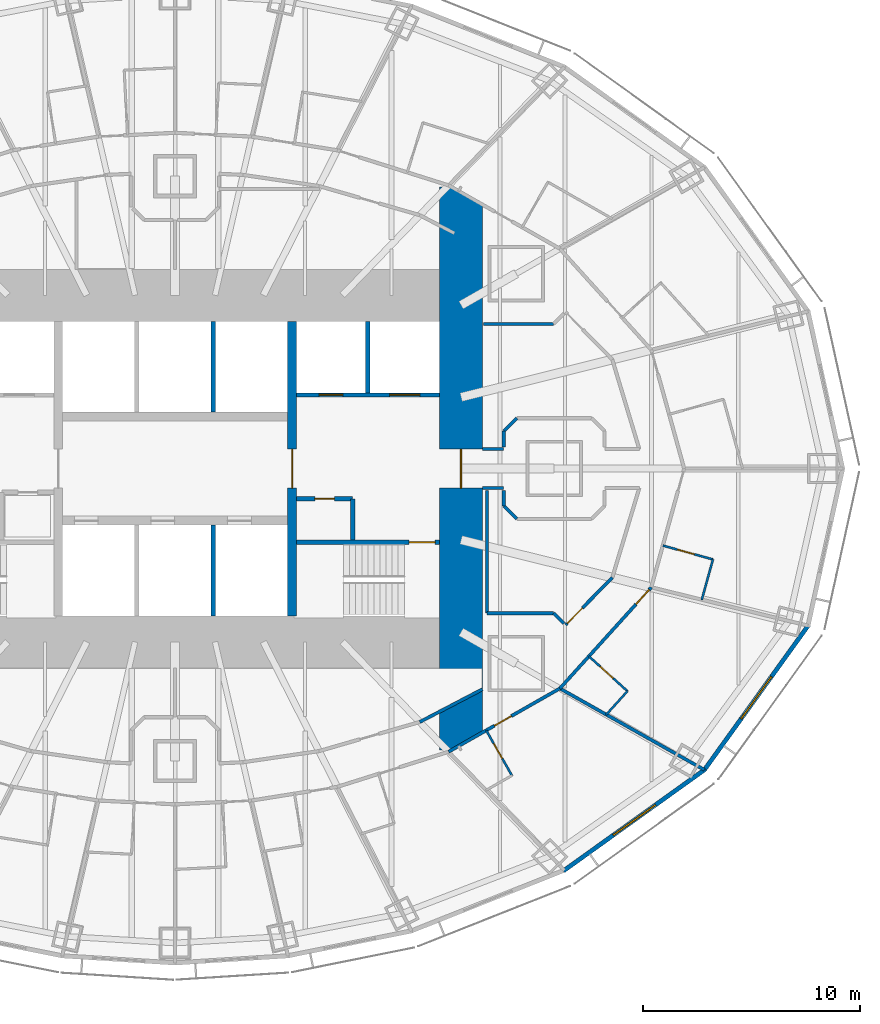
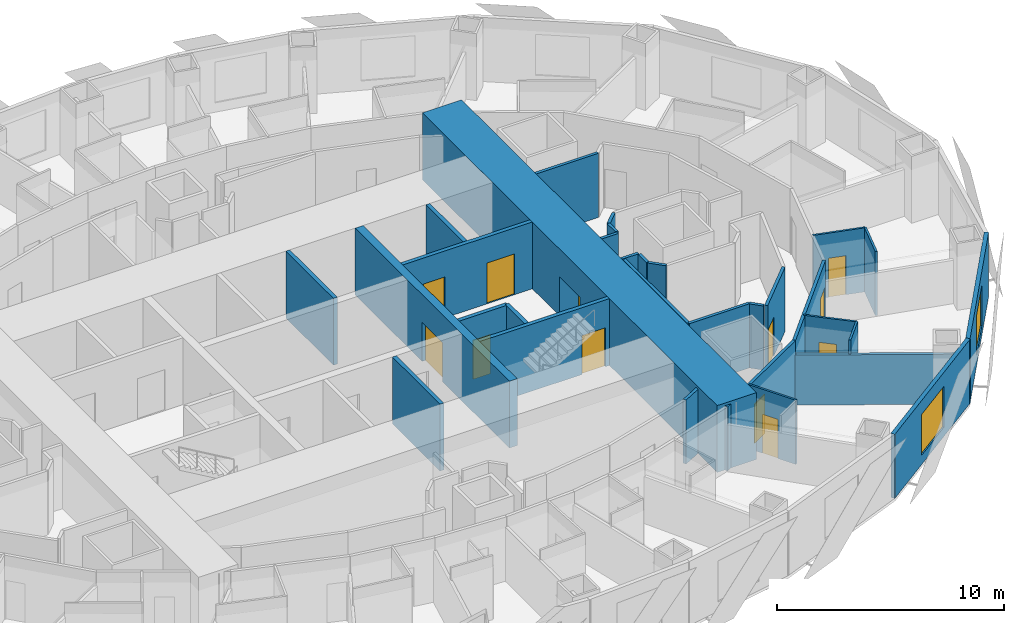
# One storey, part 8 of 17: 31 walls, 12 doors, 2 windows, 14 openings.
"""IFC4 building model written with IfcOpenShell, lengths in metres."""

import ifcopenshell
import ifcopenshell.guid

model = None  # the IFC model being written
_history = None  # IfcOwnerHistory: only IFC2X3 demands one
_inside = {}  # id of a spatial element -> (the spatial element, [elements in it])
_under = {}  # id of a project, library or spatial element -> (it, [spatial elements below it])
_declared = {}  # id of a project -> (the project, [libraries it declares])
_typed = {}  # id of a type object -> (the type object, [elements of that type])
_made_of = {}  # id of a material, layer set ... -> (it, [elements and type objects made of it])


def new_model(schema):
    """Start an empty IFC model of exactly this schema.

    Asked for "IFC4X3", IfcOpenShell would pick the latest addendum, in which some entities
    have other attributes; the version numbers below select the first issue.
    IFC2X3 requires an IfcOwnerHistory on every rooted entity: one is made here for all.
    """
    global model, _history
    if schema == "IFC4X3":
        model = ifcopenshell.file(schema_version=(4, 3, 0, 0))
    else:
        model = ifcopenshell.file(schema=schema)
    _inside.clear()
    _under.clear()
    _declared.clear()
    _typed.clear()
    _made_of.clear()
    _history = None
    if model.schema == "IFC2X3":
        org = make("IfcOrganization", Name="unknown")
        user = make(
            "IfcPersonAndOrganization",
            ThePerson=make("IfcPerson", FamilyName="unknown"),
            TheOrganization=org,
        )
        app = make(
            "IfcApplication",
            ApplicationDeveloper=org,
            Version="unknown",
            ApplicationFullName="unknown",
            ApplicationIdentifier="unknown",
        )
        _history = make(
            "IfcOwnerHistory",
            OwningUser=user,
            OwningApplication=app,
            ChangeAction="ADDED",
            CreationDate=0,
        )
    return model


def make(cls, **values):
    """One entity of the class cls with the attributes given. An attribute that is None is left unset."""
    return model.create_entity(
        cls, **{name: value for name, value in values.items() if value is not None}
    )


def rooted(cls, **values):
    """An entity with a GlobalId (a new one), such as an element, a storey or a relation."""
    return make(cls, GlobalId=ifcopenshell.guid.new(), OwnerHistory=_history, **values)


def si_unit(unit_type, name, prefix=None):
    """IfcSIUnit, for example si_unit("LENGTHUNIT", "METRE", prefix="MILLI")."""
    return make("IfcSIUnit", UnitType=unit_type, Prefix=prefix, Name=name)


def assignment(units):
    """IfcUnitAssignment: the units of a project."""
    return None if units is None else make("IfcUnitAssignment", Units=units)


def point(xyz):
    """IfcCartesianPoint."""
    return None if xyz is None else make("IfcCartesianPoint", Coordinates=xyz)


def direction(xyz):
    """IfcDirection."""
    return None if xyz is None else make("IfcDirection", DirectionRatios=xyz)


def frame(location, z_axis=None, x_axis=None):
    """IfcAxis2Placement3D, a coordinate frame: its origin and axes. An axis left out is left unset."""
    return make(
        "IfcAxis2Placement3D",
        Location=point(location),
        Axis=direction(z_axis),
        RefDirection=direction(x_axis),
    )


def frame_2d(location, x_axis=None):
    """IfcAxis2Placement2D, a coordinate frame in the plane: its origin and x axis."""
    return make(
        "IfcAxis2Placement2D", Location=point(location), RefDirection=direction(x_axis)
    )


def origin():
    """The frame at (0, 0, 0) with its axes left unset."""
    return frame((0.0, 0.0, 0.0))


def place(relative_to, where):
    """IfcLocalPlacement: puts the frame where relative to a parent placement (None: the world)."""
    return make(
        "IfcLocalPlacement", PlacementRelTo=relative_to, RelativePlacement=where
    )


def context(
    kind, dimensions, precision=None, world=None, true_north=None, identifier=None
):
    """IfcGeometricRepresentationContext, for example the 3D "Model" context."""
    return make(
        "IfcGeometricRepresentationContext",
        ContextIdentifier=identifier,
        ContextType=kind,
        CoordinateSpaceDimension=dimensions,
        Precision=precision,
        WorldCoordinateSystem=world,
        TrueNorth=true_north,
    )


def subcontext(parent, identifier, kind, view, scale=None):
    """IfcGeometricRepresentationSubContext, for example "Body" below "Model"."""
    return make(
        "IfcGeometricRepresentationSubContext",
        ContextIdentifier=identifier,
        ContextType=kind,
        ParentContext=parent,
        TargetScale=scale,
        TargetView=view,
    )


def project(units=None, contexts=None):
    """IfcProject with its units and contexts."""
    return rooted(
        "IfcProject",
        Name="project",
        RepresentationContexts=contexts,
        UnitsInContext=assignment(units),
    )


def spatial(cls, under=None, at=None, **own):
    """A site, building, storey or space (cls), placed at a placement, below another one or the project."""
    s = rooted(cls, ObjectPlacement=at, **own)
    if under is not None:
        _under.setdefault(under.id(), (under, []))[1].append(s)
    return s


def profile(cls, at=None, kind="AREA", **sizes):
    """A parametric profile (cls). Its sizes go by their IFC names, for example OverallWidth=200.0."""
    return make(cls, ProfileType=kind, Position=at, **sizes)


def rectangle(**sizes):
    """IfcRectangleProfileDef."""
    return profile("IfcRectangleProfileDef", **sizes)


def extrude(swept, where, along, depth):
    """IfcExtrudedAreaSolid: the profile swept, set in the frame where, extruded along a direction by depth."""
    return make(
        "IfcExtrudedAreaSolid",
        SweptArea=swept,
        Position=where,
        ExtrudedDirection=direction(along),
        Depth=depth,
    )


def shape(context_of_items, identifier, shape_type, items):
    """IfcShapeRepresentation: the items that make up one representation, for example the "Body"."""
    return make(
        "IfcShapeRepresentation",
        ContextOfItems=context_of_items,
        RepresentationIdentifier=identifier,
        RepresentationType=shape_type,
        Items=items,
    )


def material(Name=None, Category=None):
    """IfcMaterial."""
    return make("IfcMaterial", Name=Name, Category=Category)


def layer(
    of_material, thickness, ventilated=None, Name=None, Category=None, Priority=None
):
    """IfcMaterialLayer: one layer of a wall or slab, of a material (None: an air gap)."""
    return make(
        "IfcMaterialLayer",
        Material=of_material,
        LayerThickness=thickness,
        IsVentilated=ventilated,
        Name=Name,
        Category=Category,
        Priority=Priority,
    )


def layer_set(layers, Name=None):
    """IfcMaterialLayerSet."""
    return make("IfcMaterialLayerSet", MaterialLayers=layers, LayerSetName=Name)


def made_of(thing, what):
    """Note that an element or type object is made of a material, layer set ...; save() writes the relation."""
    if what is not None:
        _made_of.setdefault(what.id(), (what, []))[1].append(thing)
    return thing


def type_object(cls, material=None, **own):
    """A type object (cls), such as IfcWallType, which elements share."""
    return made_of(rooted(cls, **own), material)


def element(
    cls,
    number,
    at=None,
    inside=None,
    cuts=None,
    type_object=None,
    material=None,
    context=None,
    identifier="Body",
    shape_type=None,
    held_by="IfcProductDefinitionShape",
    body=None,
    shapes=None,
    **own,
):
    """One element of the class cls, such as IfcWall. Its Tag is "e" and its number.

    at: its placement. inside: the storey or other place that contains it. cuts: it is an
    opening in that element (IfcRelVoidsElement). A single representation is given by context,
    identifier, shape_type and body (its items); several are given by shapes. held_by: the class
    of the entity that holds the representations. save() writes the other relations.
    """
    e = rooted(cls, Tag="e%d" % number, ObjectPlacement=at, **own)
    if body is not None:
        shapes = [shape(context, identifier, shape_type, body)]
    if shapes is not None:
        e.Representation = make(held_by, Representations=shapes)
    if inside is not None:
        _inside.setdefault(inside.id(), (inside, []))[1].append(e)
    if cuts is not None:
        rooted(
            "IfcRelVoidsElement", RelatingBuildingElement=cuts, RelatedOpeningElement=e
        )
    if type_object is not None:
        _typed.setdefault(type_object.id(), (type_object, []))[1].append(e)
    return made_of(e, material)


def fill(opening, filler):
    """IfcRelFillsElement: the door or window that sits in an opening."""
    return rooted(
        "IfcRelFillsElement",
        RelatingOpeningElement=opening,
        RelatedBuildingElement=filler,
    )


def aggregate(whole, parts):
    """IfcRelAggregates: a whole, such as a stair, and the parts it consists of."""
    return rooted("IfcRelAggregates", RelatingObject=whole, RelatedObjects=parts)


def save(model, path):
    """Write the relations noted so far, then the file.

    IfcRelAggregates (storeys below a building ...), IfcRelContainedInSpatialStructure (elements
    in a storey), IfcRelDefinesByType, IfcRelAssociatesMaterial and IfcRelDeclares: one each for
    every whole, place, type object, material and project.
    """
    for whole, parts in _under.values():
        aggregate(whole, parts)
    for where, things in _inside.values():
        rooted(
            "IfcRelContainedInSpatialStructure",
            RelatedElements=things,
            RelatingStructure=where,
        )
    for kind, things in _typed.values():
        rooted("IfcRelDefinesByType", RelatedObjects=things, RelatingType=kind)
    for what, things in _made_of.values():
        rooted("IfcRelAssociatesMaterial", RelatedObjects=things, RelatingMaterial=what)
    for by, libraries in _declared.values():
        rooted("IfcRelDeclares", RelatingContext=by, RelatedDefinitions=libraries)
    model.write(path)


model = new_model("IFC4")

# Units and contexts
model_context = context("Model", 3, precision=1e-05, world=origin(), true_north=direction((0.0, 1.0)))
body_context = subcontext(model_context, "Body", "Model", "MODEL_VIEW")
ifc_project = project(units=[si_unit("LENGTHUNIT", "METRE"), si_unit("AREAUNIT", "SQUARE_METRE"), si_unit("VOLUMEUNIT", "CUBIC_METRE"), si_unit("PLANEANGLEUNIT", "RADIAN"), si_unit("MASSUNIT", "GRAM", prefix="KILO")], contexts=[model_context])

# Site, building, storey
site_placement = place(None, origin())
site = spatial("IfcSite", under=ifc_project, at=site_placement, CompositionType="ELEMENT")
building_placement = place(site_placement, origin())
building = spatial("IfcBuilding", under=site, at=building_placement, Name="Lantaw Convention Tower", CompositionType="ELEMENT")
storey_placement = place(building_placement, frame((0.0, 0.0, 40.60009765625)))
storey = spatial("IfcBuildingStorey", under=building, at=storey_placement, Name="L07", CompositionType="ELEMENT", Elevation=40.60009765625)

# Walls
ifc_material_1 = material(Name="Gypsum board on steel studs", Category="steel")
ifc_layer_1 = layer(ifc_material_1, 0.14990234375)
ifc_layer_set_1 = layer_set([ifc_layer_1], Name="Back of house wall 150")
wall_type_1 = type_object("IfcWallType", Name="Back of house wall 150", PredefinedType="PARTITIONING", material=ifc_layer_set_1)
wall_1_placement = place(storey_placement, frame((14.39990234375, -1.0048828125, 0.0), z_axis=(0.0, 0.0, 1.0), x_axis=(0.0, -1.0, 0.0)))
element("IfcWall", 1, at=wall_1_placement, inside=storey, type_object=wall_type_1, Name="Back of house wall 150", PredefinedType="PARTITIONING", context=body_context, shape_type="SweptSolid", body=[
    extrude(rectangle(XDim=5.670166015625, YDim=0.14990234375, at=frame_2d((2.8349609375, 0.0))), origin(), (0.0, 0.0, 1.0), 3.449951171875),
])
wall_2_placement = place(storey_placement, frame((14.39990234375, -6.675048828125, 0.0), z_axis=(0.0, 0.0, 1.0), x_axis=(1.0, 0.0, 0.0)))
element("IfcWall", 2, at=wall_2_placement, inside=storey, type_object=wall_type_1, Name="Back of house wall 150", PredefinedType="PARTITIONING", context=body_context, shape_type="SweptSolid", body=[
    extrude(rectangle(XDim=3.07470703125, YDim=0.14990234375, at=frame_2d((1.537353515625, 0.0))), origin(), (0.0, 0.0, 1.0), 3.449951171875),
])
wall_3_placement = place(storey_placement, frame((17.474609375, -6.675048828125, 0.0), z_axis=(0.0, 0.0, 1.0), x_axis=(0.707106781187, -0.707106781187, 0.0)))
element("IfcWall", 3, at=wall_3_placement, inside=storey, type_object=wall_type_1, Name="Back of house wall 150", PredefinedType="PARTITIONING", context=body_context, shape_type="SweptSolid", body=[
    extrude(rectangle(XDim=0.675048828125, YDim=0.14990234375, at=frame_2d((0.33740234375, 0.0))), origin(), (0.0, 0.0, 1.0), 3.449951171875),
])

# Wall, opening, door
ifc_material_2 = material(Name="Moisture resistant gypsum board on steel studs", Category="steel")
ifc_layer_2 = layer(ifc_material_2, 0.10009765625)
ifc_layer_set_2 = layer_set([ifc_layer_2], Name="Bathroom wall 100")
wall_type_2 = type_object("IfcWallType", Name="Bathroom wall 100", PredefinedType="PARTITIONING", material=ifc_layer_set_2)
wall_4_placement = place(storey_placement, frame((14.36279296875, -12.083984375, 0.0), z_axis=(0.0, 0.0, 1.0), x_axis=(0.494703113698, -0.869062039959, 0.0)))
wall_4 = element("IfcWall", 4, at=wall_4_placement, inside=storey, type_object=wall_type_2, Name="Bathroom wall 100", PredefinedType="PARTITIONING", context=body_context, shape_type="SweptSolid", body=[
    extrude(rectangle(XDim=2.39990234375, YDim=0.10009765625, at=frame_2d((1.199951171875, 0.0))), origin(), (0.0, 0.0, 1.0), 3.449951171875),
])
opening_1_placement = place(wall_4_placement, frame((0.699951171875, 0.0, 0.0)))
opening_1 = element("IfcOpeningElement", 5, at=opening_1_placement, cuts=wall_4, Name="Opening L07.66", PredefinedType="OPENING", context=body_context, shape_type="SweptSolid", body=[
    extrude(rectangle(XDim=0.800048828125, YDim=2.10009765625, at=frame_2d((0.39990234375, 1.050048828125))), frame((0.0, 0.06005859375, 0.0), z_axis=(0.0, -1.0, 0.0), x_axis=(1.0, 0.0, 0.0)), (0.0, 0.0, 1.0), 0.1201171875),
])
ifc_material_3 = material(Name="Timber", Category="wood")
door_type_1 = type_object("IfcDoorType", Name="Bathroom door 800", OperationType="SINGLE_SWING_LEFT", PredefinedType="DOOR", material=ifc_material_3)
door_1_placement = place(opening_1_placement, origin())
door_1 = element("IfcDoor", 6, at=door_1_placement, inside=storey, type_object=door_type_1, Name="Bathroom door", OperationType="SINGLE_SWING_LEFT", OverallHeight=2.10009765625, OverallWidth=0.800048828125, PredefinedType="DOOR", context=body_context, shape_type="SweptSolid", body=[
    extrude(rectangle(XDim=0.800048828125, YDim=2.10009765625, at=frame_2d((0.39990234375, 1.050048828125))), frame((0.0, 0.02490234375, 0.0), z_axis=(0.0, -1.0, 0.0), x_axis=(1.0, 0.0, 0.0)), (0.0, 0.0, 1.0), 0.050048828125),
])
fill(opening_1, door_1)

wall_5_placement = place(storey_placement, frame((19.1025390625, -8.665771484375, 0.0), z_axis=(0.0, 0.0, 1.0), x_axis=(0.741861025859, -0.670553665496, 0.0)))
wall_5 = element("IfcWall", 7, at=wall_5_placement, inside=storey, type_object=wall_type_2, Name="Bathroom wall 100", PredefinedType="PARTITIONING", context=body_context, shape_type="SweptSolid", body=[
    extrude(rectangle(XDim=2.400146484375, YDim=0.10009765625, at=frame_2d((1.2001953125, 0.0))), origin(), (0.0, 0.0, 1.0), 3.449951171875),
])
opening_2_placement = place(wall_5_placement, frame((0.699951171875, 0.0, 0.0)))
opening_2 = element("IfcOpeningElement", 8, at=opening_2_placement, cuts=wall_5, Name="Opening L07.68", PredefinedType="OPENING", context=body_context, shape_type="SweptSolid", body=[
    extrude(rectangle(XDim=0.800048828125, YDim=2.10009765625, at=frame_2d((0.39990234375, 1.050048828125))), frame((0.0, 0.06005859375, 0.0), z_axis=(0.0, -1.0, 0.0), x_axis=(1.0, 0.0, 0.0)), (0.0, 0.0, 1.0), 0.1201171875),
])
door_2_placement = place(opening_2_placement, origin())
door_2 = element("IfcDoor", 9, at=door_2_placement, inside=storey, type_object=door_type_1, Name="Bathroom door", OperationType="SINGLE_SWING_LEFT", OverallHeight=2.10009765625, OverallWidth=0.800048828125, PredefinedType="DOOR", context=body_context, shape_type="SweptSolid", body=[
    extrude(rectangle(XDim=0.800048828125, YDim=2.10009765625, at=frame_2d((0.39990234375, 1.050048828125))), frame((0.0, 0.02490234375, 0.0), z_axis=(0.0, -1.0, 0.0), x_axis=(1.0, 0.0, 0.0)), (0.0, 0.0, 1.0), 0.050048828125),
])
fill(opening_2, door_2)

# Wall
wall_6_placement = place(storey_placement, frame((20.883056640625, -10.275146484375, 0.0), z_axis=(0.0, 0.0, 1.0), x_axis=(-0.670592268759, -0.7418261313, 0.0)))
element("IfcWall", 10, at=wall_6_placement, inside=storey, type_object=wall_type_2, Name="Bathroom wall 100", PredefinedType="PARTITIONING", context=body_context, shape_type="SweptSolid", body=[
    extrude(rectangle(XDim=1.4736328125, YDim=0.10009765625, at=frame_2d((0.73681640625, 0.0))), origin(), (0.0, 0.0, 1.0), 3.449951171875),
])

# Wall, opening, door
wall_7_placement = place(storey_placement, frame((22.515869140625, -3.55322265625, 0.0), z_axis=(0.0, 0.0, 1.0), x_axis=(0.963711502417, -0.266945949788, 0.0)))
wall_7 = element("IfcWall", 11, at=wall_7_placement, inside=storey, type_object=wall_type_2, Name="Bathroom wall 100", PredefinedType="PARTITIONING", context=body_context, shape_type="SweptSolid", body=[
    extrude(rectangle(XDim=2.39990234375, YDim=0.10009765625, at=frame_2d((1.199951171875, 0.0))), origin(), (0.0, 0.0, 1.0), 3.449951171875),
])
opening_3_placement = place(wall_7_placement, frame((0.699951171875, 0.0, 0.0)))
opening_3 = element("IfcOpeningElement", 12, at=opening_3_placement, cuts=wall_7, Name="Opening L07.70", PredefinedType="OPENING", context=body_context, shape_type="SweptSolid", body=[
    extrude(rectangle(XDim=0.800048828125, YDim=2.10009765625, at=frame_2d((0.39990234375, 1.050048828125))), frame((0.0, 0.06005859375, 0.0), z_axis=(0.0, -1.0, 0.0), x_axis=(1.0, 0.0, 0.0)), (0.0, 0.0, 1.0), 0.1201171875),
])
door_3_placement = place(opening_3_placement, origin())
door_3 = element("IfcDoor", 13, at=door_3_placement, inside=storey, type_object=door_type_1, Name="Bathroom door", OperationType="SINGLE_SWING_LEFT", OverallHeight=2.10009765625, OverallWidth=0.800048828125, PredefinedType="DOOR", context=body_context, shape_type="SweptSolid", body=[
    extrude(rectangle(XDim=0.800048828125, YDim=2.10009765625, at=frame_2d((0.39990234375, 1.050048828125))), frame((0.0, 0.02490234375, 0.0), z_axis=(0.0, -1.0, 0.0), x_axis=(1.0, 0.0, 0.0)), (0.0, 0.0, 1.0), 0.050048828125),
])
fill(opening_3, door_3)

# Wall
wall_8_placement = place(storey_placement, frame((24.82861328125, -4.19384765625, 0.0), z_axis=(0.0, 0.0, 1.0), x_axis=(-0.266942084007, -0.963712573222, 0.0)))
element("IfcWall", 14, at=wall_8_placement, inside=storey, type_object=wall_type_2, Name="Bathroom wall 100", PredefinedType="PARTITIONING", context=body_context, shape_type="SweptSolid", body=[
    extrude(rectangle(XDim=1.93798828125, YDim=0.10009765625, at=frame_2d((0.968994140625, 0.0))), origin(), (0.0, 0.0, 1.0), 3.449951171875),
])

# Wall, opening, door
ifc_material_4 = material(Name="Concrete C60/75", Category="concrete")
ifc_layer_3 = layer(ifc_material_4, 0.199951171875)
ifc_layer_set_3 = layer_set([ifc_layer_3], Name="Core wall 200")
wall_type_3 = type_object("IfcWallType", Name="Core wall 200", PredefinedType="SHEAR", material=ifc_layer_set_3)
wall_9_placement = place(storey_placement, frame((5.60009765625, -3.39990234375, 0.0), z_axis=(0.0, 0.0, 1.0), x_axis=(1.0, 0.0, 0.0)))
wall_9 = element("IfcWall", 15, at=wall_9_placement, inside=storey, type_object=wall_type_3, Name="Core wall ES", PredefinedType="SHEAR", context=body_context, shape_type="SweptSolid", body=[
    extrude(rectangle(XDim=6.599853515625, YDim=0.199951171875, at=frame_2d((3.2998046875, 0.0))), origin(), (0.0, 0.0, 1.0), 3.599853515625),
])
opening_4_placement = place(wall_9_placement, frame((5.199951171875, 0.0, 0.0)))
opening_4 = element("IfcOpeningElement", 16, at=opening_4_placement, cuts=wall_9, Name="Opening L07.05", PredefinedType="OPENING", context=body_context, shape_type="SweptSolid", body=[
    extrude(rectangle(XDim=1.199951171875, YDim=2.10009765625, at=frame_2d((0.60009765625, 1.050048828125))), frame((0.0, 0.10986328125, 0.0), z_axis=(0.0, -1.0, 0.0), x_axis=(1.0, 0.0, 0.0)), (0.0, 0.0, 1.0), 0.219970703125),
])
ifc_material_5 = material(Name="Steel, fire rated", Category="steel")
door_type_2 = type_object("IfcDoorType", Name="Stair door FD90", OperationType="SINGLE_SWING_RIGHT", PredefinedType="DOOR", material=ifc_material_5)
door_4_placement = place(opening_4_placement, origin())
door_4 = element("IfcDoor", 17, at=door_4_placement, inside=storey, type_object=door_type_2, Name="Exit stair door", OperationType="SINGLE_SWING_RIGHT", OverallHeight=2.10009765625, OverallWidth=1.199951171875, PredefinedType="DOOR", context=body_context, shape_type="SweptSolid", body=[
    extrude(rectangle(XDim=1.199951171875, YDim=2.10009765625, at=frame_2d((0.60009765625, 1.050048828125))), frame((0.0, 0.02490234375, 0.0), z_axis=(0.0, -1.0, 0.0), x_axis=(1.0, 0.0, 0.0)), (0.0, 0.0, 1.0), 0.050048828125),
])
fill(opening_4, door_4)

ifc_layer_4 = layer(ifc_material_4, 2.0)
ifc_layer_set_4 = layer_set([ifc_layer_4], Name="Core wall 2000")
wall_type_4 = type_object("IfcWallType", Name="Core wall 2000", PredefinedType="SHEAR", material=ifc_layer_set_4)
wall_10_placement = place(storey_placement, frame((13.199951171875, -13.0, 0.0), z_axis=(0.0, 0.0, 1.0), x_axis=(0.0, 1.0, 0.0)))
wall_10 = element("IfcWall", 18, at=wall_10_placement, inside=storey, type_object=wall_type_4, Name="Core wall E", PredefinedType="SHEAR", context=body_context, shape_type="SweptSolid", body=[
    extrude(rectangle(XDim=26.0, YDim=2.0, at=frame_2d((13.0, 0.0))), origin(), (0.0, 0.0, 1.0), 3.599853515625),
])
opening_5_placement = place(wall_10_placement, frame((12.10009765625, 0.0, 0.0)))
opening_5 = element("IfcOpeningElement", 19, at=opening_5_placement, cuts=wall_10, Name="Opening L07.07", PredefinedType="OPENING", context=body_context, shape_type="SweptSolid", body=[
    extrude(rectangle(XDim=1.800048828125, YDim=2.10009765625, at=frame_2d((0.89990234375, 1.050048828125))), frame((0.0, 1.010009765625, 0.0), z_axis=(0.0, -1.0, 0.0), x_axis=(1.0, 0.0, 0.0)), (0.0, 0.0, 1.0), 2.02001953125),
])
door_type_3 = type_object("IfcDoorType", Name="Lobby double door FD90", OperationType="DOUBLE_DOOR_DOUBLE_SWING", PredefinedType="DOOR", material=ifc_material_5)
door_5_placement = place(opening_5_placement, origin())
door_5 = element("IfcDoor", 20, at=door_5_placement, inside=storey, type_object=door_type_3, Name="Firefighting lobby door", OperationType="DOUBLE_DOOR_DOUBLE_SWING", OverallHeight=2.10009765625, OverallWidth=1.800048828125, PredefinedType="DOOR", context=body_context, shape_type="SweptSolid", body=[
    extrude(rectangle(XDim=1.800048828125, YDim=2.10009765625, at=frame_2d((0.89990234375, 1.050048828125))), frame((0.0, 0.02490234375, 0.0), z_axis=(0.0, -1.0, 0.0), x_axis=(1.0, 0.0, 0.0)), (0.0, 0.0, 1.0), 0.050048828125),
])
fill(opening_5, door_5)

ifc_layer_5 = layer(ifc_material_4, 0.39990234375)
ifc_layer_set_5 = layer_set([ifc_layer_5], Name="Core wall 400")
wall_type_5 = type_object("IfcWallType", Name="Core wall 400", PredefinedType="SHEAR", material=ifc_layer_set_5)
wall_11_placement = place(storey_placement, frame((5.39990234375, -6.800048828125, 0.0), z_axis=(0.0, 0.0, 1.0), x_axis=(0.0, 1.0, 0.0)))
wall_11 = element("IfcWall", 21, at=wall_11_placement, inside=storey, type_object=wall_type_5, Name="Core wall XE", PredefinedType="SHEAR", context=body_context, shape_type="SweptSolid", body=[
    extrude(rectangle(XDim=13.60009765625, YDim=0.39990234375, at=frame_2d((6.800048828125, 0.0))), origin(), (0.0, 0.0, 1.0), 3.599853515625),
])
opening_6_placement = place(wall_11_placement, frame((5.89990234375, 0.0, 0.0)))
opening_6 = element("IfcOpeningElement", 22, at=opening_6_placement, cuts=wall_11, Name="Opening L07.03", PredefinedType="OPENING", context=body_context, shape_type="SweptSolid", body=[
    extrude(rectangle(XDim=1.800048828125, YDim=2.10009765625, at=frame_2d((0.89990234375, 1.050048828125))), frame((0.0, 0.2099609375, 0.0), z_axis=(0.0, -1.0, 0.0), x_axis=(1.0, 0.0, 0.0)), (0.0, 0.0, 1.0), 0.419921875),
])
door_6_placement = place(opening_6_placement, origin())
door_6 = element("IfcDoor", 23, at=door_6_placement, inside=storey, type_object=door_type_3, Name="Lift lobby door", OperationType="DOUBLE_DOOR_DOUBLE_SWING", OverallHeight=2.10009765625, OverallWidth=1.800048828125, PredefinedType="DOOR", context=body_context, shape_type="SweptSolid", body=[
    extrude(rectangle(XDim=1.800048828125, YDim=2.10009765625, at=frame_2d((0.89990234375, 1.050048828125))), frame((0.0, 0.02490234375, 0.0), z_axis=(0.0, -1.0, 0.0), x_axis=(1.0, 0.0, 0.0)), (0.0, 0.0, 1.0), 0.050048828125),
])
fill(opening_6, door_6)

ifc_material_6 = material(Name="Gypsum board on steel studs, fire rated", Category="steel")
ifc_layer_6 = layer(ifc_material_6, 0.14990234375)
ifc_layer_set_6 = layer_set([ifc_layer_6], Name="Corridor wall 150 EI 60")
wall_type_6 = type_object("IfcWallType", Name="Corridor wall 150 EI 60", PredefinedType="PARTITIONING", material=ifc_layer_set_6)
wall_12_placement = place(storey_placement, frame((12.624755859375, -13.0732421875, 0.0), z_axis=(0.0, 0.0, 1.0), x_axis=(0.86907565943, 0.494679187136, 0.0)))
wall_12 = element("IfcWall", 24, at=wall_12_placement, inside=storey, type_object=wall_type_6, Name="Corridor wall 150", PredefinedType="PARTITIONING", context=body_context, shape_type="SweptSolid", body=[
    extrude(rectangle(XDim=5.91064453125, YDim=0.14990234375, at=frame_2d((2.955322265625, 0.0))), origin(), (0.0, 0.0, 1.0), 3.449951171875),
])
opening_7_placement = place(wall_12_placement, frame((2.43701171875, 0.0, 0.0)))
opening_7 = element("IfcOpeningElement", 25, at=opening_7_placement, cuts=wall_12, Name="Opening L07.67", PredefinedType="OPENING", context=body_context, shape_type="SweptSolid", body=[
    extrude(rectangle(XDim=0.89990234375, YDim=2.10009765625, at=frame_2d((0.449951171875, 1.050048828125))), frame((0.0, 0.0849609375, 0.0), z_axis=(0.0, -1.0, 0.0), x_axis=(1.0, 0.0, 0.0)), (0.0, 0.0, 1.0), 0.169921875),
])
door_type_4 = type_object("IfcDoorType", Name="Guest room entrance door FD30S", OperationType="SINGLE_SWING_LEFT", PredefinedType="DOOR", material=ifc_material_5)
door_7_placement = place(opening_7_placement, origin())
door_7 = element("IfcDoor", 26, at=door_7_placement, inside=storey, type_object=door_type_4, Name="Guest room entrance door", OperationType="SINGLE_SWING_LEFT", OverallHeight=2.10009765625, OverallWidth=0.89990234375, PredefinedType="DOOR", context=body_context, shape_type="SweptSolid", body=[
    extrude(rectangle(XDim=0.89990234375, YDim=2.10009765625, at=frame_2d((0.449951171875, 1.050048828125))), frame((0.0, 0.02490234375, 0.0), z_axis=(0.0, -1.0, 0.0), x_axis=(1.0, 0.0, 0.0)), (0.0, 0.0, 1.0), 0.050048828125),
])
fill(opening_7, door_7)

wall_13_placement = place(storey_placement, frame((17.761474609375, -10.1494140625, 0.0), z_axis=(0.0, 0.0, 1.0), x_axis=(0.670598380282, 0.741820606591, 0.0)))
wall_13 = element("IfcWall", 27, at=wall_13_placement, inside=storey, type_object=wall_type_6, Name="Corridor wall 150", PredefinedType="PARTITIONING", context=body_context, shape_type="SweptSolid", body=[
    extrude(rectangle(XDim=6.29345703125, YDim=0.14990234375, at=frame_2d((3.146728515625, 0.0))), origin(), (0.0, 0.0, 1.0), 3.449951171875),
])
opening_8_placement = place(wall_13_placement, frame((5.24365234375, 0.0, 0.0)))
opening_8 = element("IfcOpeningElement", 28, at=opening_8_placement, cuts=wall_13, Name="Opening L07.69", PredefinedType="OPENING", context=body_context, shape_type="SweptSolid", body=[
    extrude(rectangle(XDim=0.89990234375, YDim=2.10009765625, at=frame_2d((0.449951171875, 1.050048828125))), frame((0.0, 0.0849609375, 0.0), z_axis=(0.0, -1.0, 0.0), x_axis=(1.0, 0.0, 0.0)), (0.0, 0.0, 1.0), 0.169921875),
])
door_8_placement = place(opening_8_placement, origin())
door_8 = element("IfcDoor", 29, at=door_8_placement, inside=storey, type_object=door_type_4, Name="Guest room entrance door", OperationType="SINGLE_SWING_LEFT", OverallHeight=2.10009765625, OverallWidth=0.89990234375, PredefinedType="DOOR", context=body_context, shape_type="SweptSolid", body=[
    extrude(rectangle(XDim=0.89990234375, YDim=2.10009765625, at=frame_2d((0.449951171875, 1.050048828125))), frame((0.0, 0.02490234375, 0.0), z_axis=(0.0, -1.0, 0.0), x_axis=(1.0, 0.0, 0.0)), (0.0, 0.0, 1.0), 0.050048828125),
])
fill(opening_8, door_8)

# Wall
wall_14_placement = place(storey_placement, frame((11.296142578125, -11.697509765625, 0.0), z_axis=(0.0, 0.0, 1.0), x_axis=(0.886283344337, 0.463143426544, 0.0)))
element("IfcWall", 30, at=wall_14_placement, inside=storey, type_object=wall_type_6, Name="Corridor wall 150", PredefinedType="PARTITIONING", context=body_context, shape_type="SweptSolid", body=[
    extrude(rectangle(XDim=3.26513671875, YDim=0.14990234375, at=frame_2d((1.632568359375, 0.0))), origin(), (0.0, 0.0, 1.0), 3.449951171875),
])

# Wall, opening, door
wall_15_placement = place(storey_placement, frame((18.031982421875, -7.21826171875, 0.0), z_axis=(0.0, 0.0, 1.0), x_axis=(0.701392176983, 0.712775570616, 0.0)))
wall_15 = element("IfcWall", 31, at=wall_15_placement, inside=storey, type_object=wall_type_6, Name="Corridor wall 150", PredefinedType="PARTITIONING", context=body_context, shape_type="SweptSolid", body=[
    extrude(rectangle(XDim=3.06689453125, YDim=0.14990234375, at=frame_2d((1.533447265625, 0.0))), origin(), (0.0, 0.0, 1.0), 3.449951171875),
])
opening_9_placement = place(wall_15_placement, frame((0.10009765625, 0.0, 0.0)))
opening_9 = element("IfcOpeningElement", 32, at=opening_9_placement, cuts=wall_15, Name="Opening L07.24", PredefinedType="OPENING", context=body_context, shape_type="SweptSolid", body=[
    extrude(rectangle(XDim=1.0, YDim=2.10009765625, at=frame_2d((0.5, 1.050048828125))), frame((0.0, 0.0849609375, 0.0), z_axis=(0.0, -1.0, 0.0), x_axis=(1.0, 0.0, 0.0)), (0.0, 0.0, 1.0), 0.169921875),
])
door_type_5 = type_object("IfcDoorType", Name="Service door 1000 FD30", OperationType="SINGLE_SWING_LEFT", PredefinedType="DOOR", material=ifc_material_5)
door_9_placement = place(opening_9_placement, origin())
door_9 = element("IfcDoor", 33, at=door_9_placement, inside=storey, type_object=door_type_5, Name="Housekeeping store door", OperationType="SINGLE_SWING_LEFT", OverallHeight=2.10009765625, OverallWidth=1.0, PredefinedType="DOOR", context=body_context, shape_type="SweptSolid", body=[
    extrude(rectangle(XDim=1.0, YDim=2.10009765625, at=frame_2d((0.5, 1.050048828125))), frame((0.0, 0.02490234375, 0.0), z_axis=(0.0, -1.0, 0.0), x_axis=(1.0, 0.0, 0.0)), (0.0, 0.0, 1.0), 0.050048828125),
])
fill(opening_9, door_9)

# Walls
wall_16_placement = place(storey_placement, frame((17.474609375, 6.675048828125, 0.0), z_axis=(0.0, 0.0, 1.0), x_axis=(-1.0, 0.0, 0.0)))
element("IfcWall", 34, at=wall_16_placement, inside=storey, type_object=wall_type_6, Name="Corridor wall 150", PredefinedType="PARTITIONING", context=body_context, shape_type="SweptSolid", body=[
    extrude(rectangle(XDim=3.24462890625, YDim=0.14990234375, at=frame_2d((1.622314453125, 0.0))), origin(), (0.0, 0.0, 1.0), 3.449951171875),
])
for number, where, z_axis, x_axis, name in (
    (35, (14.199951171875, -0.89990234375, 0.0), (0.0, 0.0, 1.0), (1.0, 0.0, 0.0), "Corridor wall 150"),
    (36, (14.199951171875, 0.89990234375, 0.0), (0.0, 0.0, 1.0), (1.0, 0.0, 0.0), "Corridor wall 150"),
):
    element("IfcWall", number, at=place(storey_placement, frame(where, z_axis=z_axis, x_axis=x_axis)), inside=storey, type_object=wall_type_6, Name=name, PredefinedType="PARTITIONING", context=body_context, shape_type="SweptSolid", body=[
        extrude(rectangle(XDim=0.965087890625, YDim=0.14990234375, at=frame_2d((0.482421875, 0.0))), origin(), (0.0, 0.0, 1.0), 3.449951171875),
    ])
wall_17_placement = place(storey_placement, frame((15.175048828125, 1.003173828125, 0.0), z_axis=(0.0, 0.0, 1.0), x_axis=(0.0, 1.0, 0.0)))
element("IfcWall", 37, at=wall_17_placement, inside=storey, type_object=wall_type_6, Name="Corridor wall 150", PredefinedType="PARTITIONING", context=body_context, shape_type="SweptSolid", body=[
    extrude(rectangle(XDim=0.721435546875, YDim=0.14990234375, at=frame_2d((0.36083984375, 0.0))), origin(), (0.0, 0.0, 1.0), 3.449951171875),
])
wall_18_placement = place(storey_placement, frame((15.175048828125, 1.724609375, 0.0), z_axis=(0.0, 0.0, 1.0), x_axis=(0.707106781187, 0.707106781187, 0.0)))
element("IfcWall", 38, at=wall_18_placement, inside=storey, type_object=wall_type_6, Name="Corridor wall 150", PredefinedType="PARTITIONING", context=body_context, shape_type="SweptSolid", body=[
    extrude(rectangle(XDim=0.84912109375, YDim=0.14990234375, at=frame_2d((0.424560546875, 0.0))), origin(), (0.0, 0.0, 1.0), 3.449951171875),
])
wall_19_placement = place(storey_placement, frame((15.175048828125, -1.724609375, 0.0), z_axis=(0.0, 0.0, 1.0), x_axis=(0.0, 1.0, 0.0)))
element("IfcWall", 39, at=wall_19_placement, inside=storey, type_object=wall_type_6, Name="Corridor wall 150", PredefinedType="PARTITIONING", context=body_context, shape_type="SweptSolid", body=[
    extrude(rectangle(XDim=0.721435546875, YDim=0.14990234375, at=frame_2d((0.36083984375, 0.0))), origin(), (0.0, 0.0, 1.0), 3.449951171875),
])
wall_20_placement = place(storey_placement, frame((15.775390625, -2.324951171875, 0.0), z_axis=(0.0, 0.0, 1.0), x_axis=(-0.707106781187, 0.707106781187, 0.0)))
element("IfcWall", 40, at=wall_20_placement, inside=storey, type_object=wall_type_6, Name="Corridor wall 150", PredefinedType="PARTITIONING", context=body_context, shape_type="SweptSolid", body=[
    extrude(rectangle(XDim=0.84912109375, YDim=0.14990234375, at=frame_2d((0.424560546875, 0.0))), origin(), (0.0, 0.0, 1.0), 3.449951171875),
])

# Wall, opening, window
ifc_material_7 = material(Name="Insulated aluminium panel on steel frame", Category="steel")
ifc_layer_7 = layer(ifc_material_7, 0.199951171875)
ifc_layer_set_7 = layer_set([ifc_layer_7], Name="External wall 200")
wall_type_7 = type_object("IfcWallType", Name="External wall 200", PredefinedType="SOLIDWALL", material=ifc_layer_set_7)
wall_21_placement = place(storey_placement, frame((17.9287109375, -18.57177734375, 0.0), z_axis=(0.0, 0.0, 1.0), x_axis=(0.812791321576, 0.582554948112, 0.0)))
wall_21 = element("IfcWall", 41, at=wall_21_placement, inside=storey, type_object=wall_type_7, Name="Facade panel wall", PredefinedType="SOLIDWALL", context=body_context, shape_type="SweptSolid", body=[
    extrude(rectangle(XDim=8.063232421875, YDim=0.199951171875, at=frame_2d((4.03173828125, 0.0))), origin(), (0.0, 0.0, 1.0), 3.449951171875),
])
opening_10_placement = place(wall_21_placement, frame((2.83154296875, 0.0, 0.5)))
opening_10 = element("IfcOpeningElement", 42, at=opening_10_placement, cuts=wall_21, Name="Opening W1", PredefinedType="OPENING", context=body_context, shape_type="SweptSolid", body=[
    extrude(rectangle(XDim=2.39990234375, YDim=2.199951171875, at=frame_2d((1.199951171875, 1.10009765625))), frame((0.0, 0.10986328125, 0.0), z_axis=(0.0, -1.0, 0.0), x_axis=(1.0, 0.0, 0.0)), (0.0, 0.0, 1.0), 0.219970703125),
])
ifc_material_8 = material(Name="Aluminium frame, clear insulating glass", Category="aluminium")
window_type = type_object("IfcWindowType", Name="Guest room window 2400x2200", PartitioningType="SINGLE_PANEL", PredefinedType="WINDOW", material=ifc_material_8)
window_1_placement = place(opening_10_placement, origin())
window_1 = element("IfcWindow", 43, at=window_1_placement, inside=storey, type_object=window_type, Name="Guest room window", OverallHeight=2.199951171875, OverallWidth=2.39990234375, PartitioningType="SINGLE_PANEL", PredefinedType="WINDOW", context=body_context, shape_type="SweptSolid", body=[
    extrude(rectangle(XDim=2.39990234375, YDim=2.199951171875, at=frame_2d((1.199951171875, 1.10009765625))), frame((0.0, 0.030029296875, 0.0), z_axis=(0.0, -1.0, 0.0), x_axis=(1.0, 0.0, 0.0)), (0.0, 0.0, 1.0), 0.06005859375),
])
fill(opening_10, window_1)

wall_22_placement = place(storey_placement, frame((24.400390625, -13.95654296875, 0.0), z_axis=(0.0, 0.0, 1.0), x_axis=(0.583937613703, 0.811798536155, 0.0)))
wall_22 = element("IfcWall", 44, at=wall_22_placement, inside=storey, type_object=wall_type_7, Name="Facade panel wall", PredefinedType="SOLIDWALL", context=body_context, shape_type="SweptSolid", body=[
    extrude(rectangle(XDim=8.322998046875, YDim=0.199951171875, at=frame_2d((4.16162109375, 0.0))), origin(), (0.0, 0.0, 1.0), 3.449951171875),
])
opening_11_placement = place(wall_22_placement, frame((2.96142578125, 0.0, 0.5)))
opening_11 = element("IfcOpeningElement", 45, at=opening_11_placement, cuts=wall_22, Name="Opening W1", PredefinedType="OPENING", context=body_context, shape_type="SweptSolid", body=[
    extrude(rectangle(XDim=2.39990234375, YDim=2.199951171875, at=frame_2d((1.199951171875, 1.10009765625))), frame((0.0, 0.10986328125, 0.0), z_axis=(0.0, -1.0, 0.0), x_axis=(1.0, 0.0, 0.0)), (0.0, 0.0, 1.0), 0.219970703125),
])
window_2_placement = place(opening_11_placement, origin())
window_2 = element("IfcWindow", 46, at=window_2_placement, inside=storey, type_object=window_type, Name="Guest room window", OverallHeight=2.199951171875, OverallWidth=2.39990234375, PartitioningType="SINGLE_PANEL", PredefinedType="WINDOW", context=body_context, shape_type="SweptSolid", body=[
    extrude(rectangle(XDim=2.39990234375, YDim=2.199951171875, at=frame_2d((1.199951171875, 1.10009765625))), frame((0.0, 0.030029296875, 0.0), z_axis=(0.0, -1.0, 0.0), x_axis=(1.0, 0.0, 0.0)), (0.0, 0.0, 1.0), 0.06005859375),
])
fill(opening_11, window_2)

# Wall
ifc_material_9 = material(Name="Gypsum board on steel studs, acoustic", Category="steel")
ifc_layer_8 = layer(ifc_material_9, 0.14990234375)
ifc_layer_set_8 = layer_set([ifc_layer_8], Name="Guest room party wall 150")
wall_type_8 = type_object("IfcWallType", Name="Guest room party wall 150", PredefinedType="PARTITIONING", material=ifc_layer_set_8)
wall_23_placement = place(storey_placement, frame((24.434814453125, -13.90869140625, 0.0), z_axis=(0.0, 0.0, 1.0), x_axis=(-0.871267209855, 0.490808974074, 0.0)))
element("IfcWall", 47, at=wall_23_placement, inside=storey, type_object=wall_type_8, Name="Guest room party wall 150", PredefinedType="PARTITIONING", context=body_context, shape_type="SweptSolid", body=[
    extrude(rectangle(XDim=7.659423828125, YDim=0.14990234375, at=frame_2d((3.82958984375, 0.0))), origin(), (0.0, 0.0, 1.0), 2.69287109375),
])

# Wall, opening, door
ifc_material_10 = material(Name="Concrete blockwork, fire rated", Category="masonry")
ifc_layer_9 = layer(ifc_material_10, 0.199951171875)
ifc_layer_set_9 = layer_set([ifc_layer_9], Name="Plant room wall 200 EI 120")
wall_type_9 = type_object("IfcWallType", Name="Plant room wall 200 EI 120", PredefinedType="SOLIDWALL", material=ifc_layer_set_9)
wall_24_placement = place(storey_placement, frame((5.60009765625, -1.39990234375, 0.0), z_axis=(0.0, 0.0, 1.0), x_axis=(1.0, 0.0, 0.0)))
wall_24 = element("IfcWall", 48, at=wall_24_placement, inside=storey, type_object=wall_type_9, Name="Plant room wall 200", PredefinedType="SOLIDWALL", context=body_context, shape_type="SweptSolid", body=[
    extrude(rectangle(XDim=2.599853515625, YDim=0.199951171875, at=frame_2d((1.2998046875, 0.0))), origin(), (0.0, 0.0, 1.0), 3.449951171875),
])
opening_12_placement = place(wall_24_placement, frame((0.85009765625, 0.0, 0.0)))
opening_12 = element("IfcOpeningElement", 49, at=opening_12_placement, cuts=wall_24, Name="Opening L07.02", PredefinedType="OPENING", context=body_context, shape_type="SweptSolid", body=[
    extrude(rectangle(XDim=0.89990234375, YDim=2.10009765625, at=frame_2d((0.449951171875, 1.050048828125))), frame((0.0, 0.10986328125, 0.0), z_axis=(0.0, -1.0, 0.0), x_axis=(1.0, 0.0, 0.0)), (0.0, 0.0, 1.0), 0.219970703125),
])
door_type_6 = type_object("IfcDoorType", Name="Service door 900 FD60", OperationType="SINGLE_SWING_LEFT", PredefinedType="DOOR", material=ifc_material_5)
door_10_placement = place(opening_12_placement, origin())
door_10 = element("IfcDoor", 50, at=door_10_placement, inside=storey, type_object=door_type_6, Name="Cleaner's store door", OperationType="SINGLE_SWING_LEFT", OverallHeight=2.10009765625, OverallWidth=0.89990234375, PredefinedType="DOOR", context=body_context, shape_type="SweptSolid", body=[
    extrude(rectangle(XDim=0.89990234375, YDim=2.10009765625, at=frame_2d((0.449951171875, 1.050048828125))), frame((0.0, 0.02490234375, 0.0), z_axis=(0.0, -1.0, 0.0), x_axis=(1.0, 0.0, 0.0)), (0.0, 0.0, 1.0), 0.050048828125),
])
fill(opening_12, door_10)

# Walls
wall_25_placement = place(storey_placement, frame((8.199951171875, -1.39990234375, 0.0), z_axis=(0.0, 0.0, 1.0), x_axis=(0.0, -1.0, 0.0)))
element("IfcWall", 51, at=wall_25_placement, inside=storey, type_object=wall_type_9, Name="Plant room wall 200", PredefinedType="SOLIDWALL", context=body_context, shape_type="SweptSolid", body=[
    extrude(rectangle(XDim=1.900146484375, YDim=0.199951171875, at=frame_2d((0.9501953125, 0.0))), origin(), (0.0, 0.0, 1.0), 3.449951171875),
])
ifc_layer_10 = layer(ifc_material_10, 0.199951171875)
ifc_layer_set_10 = layer_set([ifc_layer_10], Name="Shaft wall 200")
wall_type_10 = type_object("IfcWallType", Name="Shaft wall 200", PredefinedType="SOLIDWALL", material=ifc_layer_set_10)
wall_26_placement = place(storey_placement, frame((1.7666015625, 2.60009765625, 0.0), z_axis=(0.0, 0.0, 1.0), x_axis=(0.0, 1.0, 0.0)))
element("IfcWall", 52, at=wall_26_placement, inside=storey, type_object=wall_type_10, Name="Shaft wall DN2", PredefinedType="SOLIDWALL", context=body_context, shape_type="SweptSolid", body=[
    extrude(rectangle(XDim=4.199951171875, YDim=0.199951171875, at=frame_2d((2.10009765625, 0.0))), origin(), (0.0, 0.0, 1.0), 3.599853515625),
])

# Wall, openings, doors
wall_27_placement = place(storey_placement, frame((12.199951171875, 3.39990234375, 0.0), z_axis=(0.0, 0.0, 1.0), x_axis=(-1.0, 0.0, 0.0)))
wall_27 = element("IfcWall", 53, at=wall_27_placement, inside=storey, type_object=wall_type_10, Name="Shaft wall EN", PredefinedType="SOLIDWALL", context=body_context, shape_type="SweptSolid", body=[
    extrude(rectangle(XDim=6.599853515625, YDim=0.199951171875, at=frame_2d((3.2998046875, 0.0))), origin(), (0.0, 0.0, 1.0), 3.599853515625),
])
opening_13_placement = place(wall_27_placement, frame((4.449951171875, 0.0, 0.0)))
opening_13 = element("IfcOpeningElement", 54, at=opening_13_placement, cuts=wall_27, Name="Opening L07.14", PredefinedType="OPENING", context=body_context, shape_type="SweptSolid", body=[
    extrude(rectangle(XDim=1.10009765625, YDim=2.199951171875, at=frame_2d((0.550048828125, 1.10009765625))), frame((0.0, 0.10986328125, 0.0), z_axis=(0.0, -1.0, 0.0), x_axis=(1.0, 0.0, 0.0)), (0.0, 0.0, 1.0), 0.219970703125),
])
opening_14_placement = place(wall_27_placement, frame((0.89990234375, 0.0, 0.0)))
opening_14 = element("IfcOpeningElement", 55, at=opening_14_placement, cuts=wall_27, Name="Opening L07.15", PredefinedType="OPENING", context=body_context, shape_type="SweptSolid", body=[
    extrude(rectangle(XDim=1.39990234375, YDim=2.199951171875, at=frame_2d((0.699951171875, 1.10009765625))), frame((0.0, 0.10986328125, 0.0), z_axis=(0.0, -1.0, 0.0), x_axis=(1.0, 0.0, 0.0)), (0.0, 0.0, 1.0), 0.219970703125),
])
ifc_material_11 = material(Name="Stainless steel", Category="steel")
door_type_7 = type_object("IfcDoorType", Name="Lift landing door 1100", OperationType="DOUBLE_DOOR_SLIDING", PredefinedType="DOOR", material=ifc_material_11)
door_11_placement = place(opening_13_placement, origin())
door_11 = element("IfcDoor", 56, at=door_11_placement, inside=storey, type_object=door_type_7, Name="Lift landing door FF2", OperationType="DOUBLE_DOOR_SLIDING", OverallHeight=2.199951171875, OverallWidth=1.10009765625, PredefinedType="DOOR", context=body_context, shape_type="SweptSolid", body=[
    extrude(rectangle(XDim=1.10009765625, YDim=2.199951171875, at=frame_2d((0.550048828125, 1.10009765625))), frame((0.0, 0.02490234375, 0.0), z_axis=(0.0, -1.0, 0.0), x_axis=(1.0, 0.0, 0.0)), (0.0, 0.0, 1.0), 0.050048828125),
])
fill(opening_13, door_11)
door_type_8 = type_object("IfcDoorType", Name="Lift landing door 1400", OperationType="DOUBLE_DOOR_SLIDING", PredefinedType="DOOR", material=ifc_material_11)
door_12_placement = place(opening_14_placement, origin())
door_12 = element("IfcDoor", 57, at=door_12_placement, inside=storey, type_object=door_type_8, Name="Lift landing door SV2", OperationType="DOUBLE_DOOR_SLIDING", OverallHeight=2.199951171875, OverallWidth=1.39990234375, PredefinedType="DOOR", context=body_context, shape_type="SweptSolid", body=[
    extrude(rectangle(XDim=1.39990234375, YDim=2.199951171875, at=frame_2d((0.699951171875, 1.10009765625))), frame((0.0, 0.02490234375, 0.0), z_axis=(0.0, -1.0, 0.0), x_axis=(1.0, 0.0, 0.0)), (0.0, 0.0, 1.0), 0.050048828125),
])
fill(opening_14, door_12)

# Walls
wall_28_placement = place(storey_placement, frame((8.89990234375, 3.5, 0.0), z_axis=(0.0, 0.0, 1.0), x_axis=(0.0, 1.0, 0.0)))
element("IfcWall", 58, at=wall_28_placement, inside=storey, type_object=wall_type_10, Name="Shaft wall ED", PredefinedType="SOLIDWALL", context=body_context, shape_type="SweptSolid", body=[
    extrude(rectangle(XDim=3.300048828125, YDim=0.199951171875, at=frame_2d((1.64990234375, 0.0))), origin(), (0.0, 0.0, 1.0), 3.599853515625),
])
ifc_layer_11 = layer(ifc_material_10, 0.199951171875)
ifc_layer_set_11 = layer_set([ifc_layer_11], Name="Shaft wall 200 load-bearing")
wall_type_11 = type_object("IfcWallType", Name="Shaft wall 200 load-bearing", PredefinedType="SOLIDWALL", material=ifc_layer_set_11)
wall_29_placement = place(storey_placement, frame((1.7666015625, -2.60009765625, 0.0), z_axis=(0.0, 0.0, 1.0), x_axis=(0.0, -1.0, 0.0)))
element("IfcWall", 59, at=wall_29_placement, inside=storey, type_object=wall_type_11, Name="Shaft wall DS2", PredefinedType="SOLIDWALL", context=body_context, shape_type="SweptSolid", body=[
    extrude(rectangle(XDim=4.199951171875, YDim=0.199951171875, at=frame_2d((2.10009765625, 0.0))), origin(), (0.0, 0.0, 1.0), 3.599853515625),
])

save(model, "model.ifc")
